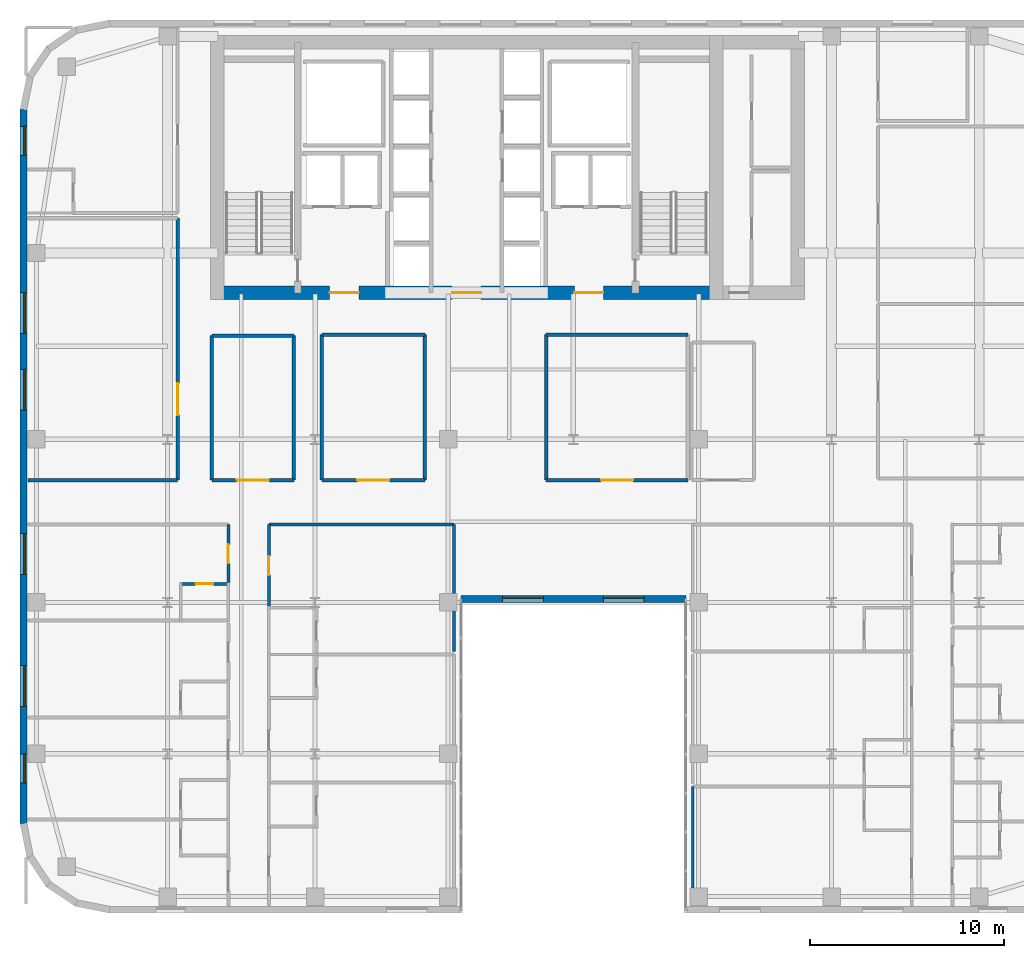
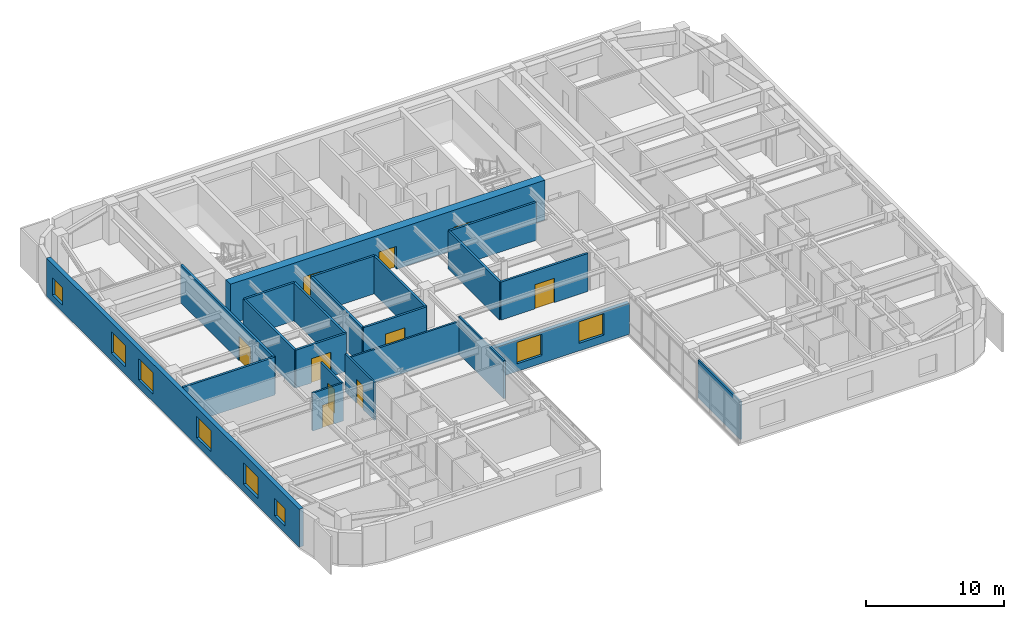
# One storey, part 11 of 17: 22 walls, 10 doors, 8 windows, 18 openings.
"""IFC4 building model written with IfcOpenShell, lengths in metres."""

from ifc_helpers import new_model, si_unit, direction, frame, frame_2d, origin, place, context, subcontext, project, spatial, rectangle, extrude, source, transform, mapped, material, layer, layer_set, type_object, type_shapes, element, fill, save


model = new_model("IFC4")

# Units and contexts
model_context = context("Model", 3, precision=1e-05, world=origin(), true_north=direction((0.0, 1.0)))
body_context = subcontext(model_context, "Body", "Model", "MODEL_VIEW")
ifc_project = project(units=[si_unit("LENGTHUNIT", "METRE"), si_unit("AREAUNIT", "SQUARE_METRE"), si_unit("VOLUMEUNIT", "CUBIC_METRE"), si_unit("PLANEANGLEUNIT", "RADIAN"), si_unit("MASSUNIT", "GRAM", prefix="KILO")], contexts=[model_context])

# Site, building, storey
site_placement = place(None, origin())
site = spatial("IfcSite", under=ifc_project, at=site_placement, CompositionType="ELEMENT")
building_placement = place(site_placement, origin())
building = spatial("IfcBuilding", under=site, at=building_placement, Name="Tolvann Quenvar Hotel", CompositionType="ELEMENT")
storey_placement = place(building_placement, frame((0.0, 0.0, 129.300048828125)))
storey = spatial("IfcBuildingStorey", under=building, at=storey_placement, Name="L33", CompositionType="ELEMENT", Elevation=129.300048828125)

# Wall, openings, doors
ifc_material_1 = material(Name="Concrete S65 (65 MPa)", Category="concrete")
ifc_layer_1 = layer(ifc_material_1, 0.699951171875)
ifc_layer_set_1 = layer_set([ifc_layer_1], Name="Concrete S65 (65 MPa)")
wall_type_1 = type_object("IfcWallType", Name="WALL_CORE_700", PredefinedType="SHEAR", material=ifc_layer_set_1)
wall_1_placement = place(storey_placement, frame((9.800048828125, 31.949951171875, 0.0), z_axis=(0.0, 0.0, 1.0), x_axis=(1.0, 0.0, 0.0)))
wall_1 = element("IfcWall", 1, at=wall_1_placement, inside=storey, type_object=wall_type_1, Name="Rear Core S Shear Wall (L33)", PredefinedType="SHEAR", context=body_context, shape_type="SweptSolid", body=[
    extrude(rectangle(XDim=26.39990234375, YDim=0.699951171875, at=frame_2d((13.199951171875, 0.0))), origin(), (0.0, 0.0, 1.0), 3.550048828125),
])
opening_1_placement = place(wall_1_placement, frame((7.64990234375, 0.0, 0.0), z_axis=(0.0, 0.0, 1.0), x_axis=(-1.0, 0.0, 0.0)))
opening_1 = element("IfcOpeningElement", 2, at=opening_1_placement, cuts=wall_1, Name="Opening FD-60D", PredefinedType="OPENING", context=body_context, shape_type="SweptSolid", body=[
    extrude(rectangle(XDim=1.5, YDim=2.0400390625, at=frame_2d((0.75, 1.02001953125))), frame((0.0, 0.35986328125, 0.0), z_axis=(0.0, -1.0, 0.0), x_axis=(1.0, 0.0, 0.0)), (0.0, 0.0, 1.0), 0.719970703125),
])
opening_2_placement = place(wall_1_placement, frame((13.949951171875, 0.0, 0.0), z_axis=(0.0, 0.0, 1.0), x_axis=(-1.0, 0.0, 0.0)))
opening_2 = element("IfcOpeningElement", 3, at=opening_2_placement, cuts=wall_1, Name="Opening FD-60D", PredefinedType="OPENING", context=body_context, shape_type="SweptSolid", body=[
    extrude(rectangle(XDim=1.5, YDim=2.0400390625, at=frame_2d((0.75, 1.02001953125))), frame((0.0, 0.35986328125, 0.0), z_axis=(0.0, -1.0, 0.0), x_axis=(1.0, 0.0, 0.0)), (0.0, 0.0, 1.0), 0.719970703125),
])
opening_3_placement = place(wall_1_placement, frame((20.25, 0.0, 0.0), z_axis=(0.0, 0.0, 1.0), x_axis=(-1.0, 0.0, 0.0)))
opening_3 = element("IfcOpeningElement", 4, at=opening_3_placement, cuts=wall_1, Name="Opening FD-60D", PredefinedType="OPENING", context=body_context, shape_type="SweptSolid", body=[
    extrude(rectangle(XDim=1.5, YDim=2.0400390625, at=frame_2d((0.75, 1.02001953125))), frame((0.0, 0.35986328125, 0.0), z_axis=(0.0, -1.0, 0.0), x_axis=(1.0, 0.0, 0.0)), (0.0, 0.0, 1.0), 0.719970703125),
])
ifc_material_2 = material(Name="Solid-core American oak acoustic fire door leaf in steel frame", Category="steel")
door_type_1 = type_object("IfcDoorType", Name="DOOR_FIRE_LOBBY_1500", OperationType="NOTDEFINED", PredefinedType="DOOR", material=ifc_material_2)
shared_shape_1 = source(origin(), body_context, "Body", "SweptSolid", [
    extrude(rectangle(XDim=1.5, YDim=2.0400390625, at=frame_2d((0.75, 1.02001953125))), frame((0.0, 0.02490234375, 0.0), z_axis=(0.0, -1.0, 0.0), x_axis=(1.0, 0.0, 0.0)), (0.0, 0.0, 1.0), 0.050048828125),
])
type_shapes(door_type_1, [shared_shape_1])
door_1_placement = place(opening_1_placement, origin())
door_1 = element("IfcDoor", 5, at=door_1_placement, inside=storey, type_object=door_type_1, Name="Core Lobby Fire Door FFW (L33)", OperationType="DOUBLE_DOOR_SINGLE_SWING", OverallHeight=2.0400390625, OverallWidth=1.5, PredefinedType="DOOR", context=body_context, shape_type="MappedRepresentation", body=[
    mapped(shared_shape_1, transform((0.0, 0.0, 0.0), x_axis=(1.0, 0.0, 0.0), y_axis=(0.0, 1.0, 0.0), z_axis=(0.0, 0.0, 1.0), scale=1.0)),
])
fill(opening_1, door_1)
door_2_placement = place(opening_2_placement, origin())
door_2 = element("IfcDoor", 6, at=door_2_placement, inside=storey, type_object=door_type_1, Name="Core Lobby Fire Door CLOB (L33)", OperationType="DOUBLE_DOOR_SINGLE_SWING", OverallHeight=2.0400390625, OverallWidth=1.5, PredefinedType="DOOR", context=body_context, shape_type="MappedRepresentation", body=[
    mapped(shared_shape_1, transform((0.0, 0.0, 0.0), x_axis=(1.0, 0.0, 0.0), y_axis=(0.0, 1.0, 0.0), z_axis=(0.0, 0.0, 1.0), scale=1.0)),
])
fill(opening_2, door_2)
door_3_placement = place(opening_3_placement, origin())
door_3 = element("IfcDoor", 7, at=door_3_placement, inside=storey, type_object=door_type_1, Name="Core Lobby Fire Door FFE (L33)", OperationType="DOUBLE_DOOR_SINGLE_SWING", OverallHeight=2.0400390625, OverallWidth=1.5, PredefinedType="DOOR", context=body_context, shape_type="MappedRepresentation", body=[
    mapped(shared_shape_1, transform((0.0, 0.0, 0.0), x_axis=(1.0, 0.0, 0.0), y_axis=(0.0, 1.0, 0.0), z_axis=(0.0, 0.0, 1.0), scale=1.0)),
])
fill(opening_3, door_3)

# Wall, openings, windows
ifc_material_3 = material(Name="Kiln-fired red and buff architectural clay brickwork and terracotta masonry", Category="masonry")
ifc_layer_2 = layer(ifc_material_3, 0.35009765625)
ifc_layer_set_2 = layer_set([ifc_layer_2], Name="Kiln-fired red and buff architectural clay brickwork and terracotta masonry")
wall_type_2 = type_object("IfcWallType", Name="WALL_EXT_BRICK_350", PredefinedType="SOLIDWALL", material=ifc_layer_set_2)
wall_2_placement = place(storey_placement, frame((22.7099609375, 16.175048828125, 0.0), z_axis=(0.0, 0.0, 1.0), x_axis=(1.0, 0.0, 0.0)))
wall_2 = element("IfcWall", 8, at=wall_2_placement, inside=storey, type_object=wall_type_2, Name="Exterior Chicago Brick Wall L33-E06", PredefinedType="SOLIDWALL", context=body_context, shape_type="SweptSolid", body=[
    extrude(rectangle(XDim=11.580078125, YDim=0.35009765625, at=frame_2d((5.7900390625, 0.0))), origin(), (0.0, 0.0, 1.0), 2.748046875),
])
opening_4_placement = place(wall_2_placement, frame((2.14501953125, 0.0, 0.679931640625)))
opening_4 = element("IfcOpeningElement", 9, at=opening_4_placement, cuts=wall_2, Name="Opening W-02", PredefinedType="OPENING", context=body_context, shape_type="SweptSolid", body=[
    extrude(rectangle(XDim=2.10009765625, YDim=1.89990234375, at=frame_2d((1.050048828125, 0.949951171875))), frame((0.0, 0.18505859375, 0.0), z_axis=(0.0, -1.0, 0.0), x_axis=(1.0, 0.0, 0.0)), (0.0, 0.0, 1.0), 0.3701171875),
])
opening_5_placement = place(wall_2_placement, frame((7.3349609375, 0.0, 0.679931640625)))
opening_5 = element("IfcOpeningElement", 10, at=opening_5_placement, cuts=wall_2, Name="Opening W-02", PredefinedType="OPENING", context=body_context, shape_type="SweptSolid", body=[
    extrude(rectangle(XDim=2.10009765625, YDim=1.89990234375, at=frame_2d((1.050048828125, 0.949951171875))), frame((0.0, 0.18505859375, 0.0), z_axis=(0.0, -1.0, 0.0), x_axis=(1.0, 0.0, 0.0)), (0.0, 0.0, 1.0), 0.3701171875),
])
ifc_material_4 = material(Name="Thermally broken bronze-anodised aluminium frame with double low-E glazing", Category="aluminium")
window_type_1 = type_object("IfcWindowType", Name="WIN_CHI_2100x2050", PartitioningType="TRIPLE_PANEL_HORIZONTAL", PredefinedType="WINDOW", material=ifc_material_4)
shared_shape_2 = source(origin(), body_context, "Body", "SweptSolid", [
    extrude(rectangle(XDim=2.10009765625, YDim=1.89990234375, at=frame_2d((1.050048828125, 0.949951171875))), frame((0.0, 0.090087890625, 0.0), z_axis=(0.0, -1.0, 0.0), x_axis=(1.0, 0.0, 0.0)), (0.0, 0.0, 1.0), 0.06005859375),
])
type_shapes(window_type_1, [shared_shape_2])
window_1_placement = place(opening_4_placement, origin())
window_1 = element("IfcWindow", 11, at=window_1_placement, inside=storey, type_object=window_type_1, Name="Chicago Window W-02 (EW-L33-E06-W01)", OverallHeight=1.89990234375, OverallWidth=2.10009765625, PartitioningType="TRIPLE_PANEL_HORIZONTAL", PredefinedType="WINDOW", context=body_context, shape_type="MappedRepresentation", body=[
    mapped(shared_shape_2, transform((0.0, 0.0, 0.0), x_axis=(1.0, 0.0, 0.0), y_axis=(0.0, 1.0, 0.0), z_axis=(0.0, 0.0, 1.0), scale=1.0)),
])
fill(opening_4, window_1)
window_2_placement = place(opening_5_placement, origin())
window_2 = element("IfcWindow", 12, at=window_2_placement, inside=storey, type_object=window_type_1, Name="Chicago Window W-02 (EW-L33-E06-W02)", OverallHeight=1.89990234375, OverallWidth=2.10009765625, PartitioningType="TRIPLE_PANEL_HORIZONTAL", PredefinedType="WINDOW", context=body_context, shape_type="MappedRepresentation", body=[
    mapped(shared_shape_2, transform((0.0, 0.0, 0.0), x_axis=(1.0, 0.0, 0.0), y_axis=(0.0, 1.0, 0.0), z_axis=(0.0, 0.0, 1.0), scale=1.0)),
])
fill(opening_5, window_2)

wall_3_placement = place(storey_placement, frame((0.175048828125, 41.3828125, 0.0), z_axis=(0.0, 0.0, 1.0), x_axis=(0.0, -1.0, 0.0)))
wall_3 = element("IfcWall", 13, at=wall_3_placement, inside=storey, type_object=wall_type_2, Name="Exterior Chicago Brick Wall L33-E23", PredefinedType="SOLIDWALL", context=body_context, shape_type="SweptSolid", body=[
    extrude(rectangle(XDim=36.765625, YDim=0.35009765625, at=frame_2d((18.3828125, 0.0))), origin(), (0.0, 0.0, 1.0), 3.369873046875),
])
opening_6_placement = place(wall_3_placement, frame((9.428955078125, 0.0, 0.679931640625)))
opening_6 = element("IfcOpeningElement", 14, at=opening_6_placement, cuts=wall_3, Name="Opening W-02", PredefinedType="OPENING", context=body_context, shape_type="SweptSolid", body=[
    extrude(rectangle(XDim=2.10009765625, YDim=1.89990234375, at=frame_2d((1.050048828125, 0.949951171875))), frame((0.0, 0.18505859375, 0.0), z_axis=(0.0, -1.0, 0.0), x_axis=(1.0, 0.0, 0.0)), (0.0, 0.0, 1.0), 0.3701171875),
])
opening_7_placement = place(wall_3_placement, frame((13.381103515625, 0.0, 0.679931640625)))
opening_7 = element("IfcOpeningElement", 15, at=opening_7_placement, cuts=wall_3, Name="Opening W-02", PredefinedType="OPENING", context=body_context, shape_type="SweptSolid", body=[
    extrude(rectangle(XDim=2.10009765625, YDim=1.89990234375, at=frame_2d((1.050048828125, 0.949951171875))), frame((0.0, 0.18505859375, 0.0), z_axis=(0.0, -1.0, 0.0), x_axis=(1.0, 0.0, 0.0)), (0.0, 0.0, 1.0), 0.3701171875),
])
opening_8_placement = place(wall_3_placement, frame((21.8349609375, 0.0, 0.679931640625)))
opening_8 = element("IfcOpeningElement", 16, at=opening_8_placement, cuts=wall_3, Name="Opening W-02", PredefinedType="OPENING", context=body_context, shape_type="SweptSolid", body=[
    extrude(rectangle(XDim=2.10009765625, YDim=1.89990234375, at=frame_2d((1.050048828125, 0.949951171875))), frame((0.0, 0.18505859375, 0.0), z_axis=(0.0, -1.0, 0.0), x_axis=(1.0, 0.0, 0.0)), (0.0, 0.0, 1.0), 0.3701171875),
])
opening_9_placement = place(wall_3_placement, frame((28.637939453125, 0.0, 0.679931640625)))
opening_9 = element("IfcOpeningElement", 17, at=opening_9_placement, cuts=wall_3, Name="Opening W-02", PredefinedType="OPENING", context=body_context, shape_type="SweptSolid", body=[
    extrude(rectangle(XDim=2.10009765625, YDim=1.89990234375, at=frame_2d((1.050048828125, 0.949951171875))), frame((0.0, 0.18505859375, 0.0), z_axis=(0.0, -1.0, 0.0), x_axis=(1.0, 0.0, 0.0)), (0.0, 0.0, 1.0), 0.3701171875),
])
opening_10_placement = place(wall_3_placement, frame((33.18310546875, 0.0, 0.6201171875)))
opening_10 = element("IfcOpeningElement", 18, at=opening_10_placement, cuts=wall_3, Name="Opening W-08", PredefinedType="OPENING", context=body_context, shape_type="SweptSolid", body=[
    extrude(rectangle(XDim=1.5, YDim=1.550048828125, at=frame_2d((0.75, 0.77490234375))), frame((0.0, 0.18505859375, 0.0), z_axis=(0.0, -1.0, 0.0), x_axis=(1.0, 0.0, 0.0)), (0.0, 0.0, 1.0), 0.3701171875),
])
opening_11_placement = place(wall_3_placement, frame((0.861083984375, 0.0, 0.6201171875)))
opening_11 = element("IfcOpeningElement", 19, at=opening_11_placement, cuts=wall_3, Name="Opening W-08", PredefinedType="OPENING", context=body_context, shape_type="SweptSolid", body=[
    extrude(rectangle(XDim=1.5, YDim=1.550048828125, at=frame_2d((0.75, 0.77490234375))), frame((0.0, 0.18505859375, 0.0), z_axis=(0.0, -1.0, 0.0), x_axis=(1.0, 0.0, 0.0)), (0.0, 0.0, 1.0), 0.3701171875),
])
window_type_2 = type_object("IfcWindowType", Name="WIN_COR_1500x2050", PartitioningType="SINGLE_PANEL", PredefinedType="WINDOW", material=ifc_material_4)
shared_shape_3 = source(origin(), body_context, "Body", "SweptSolid", [
    extrude(rectangle(XDim=1.5, YDim=1.550048828125, at=frame_2d((0.75, 0.77490234375))), frame((0.0, 0.090087890625, 0.0), z_axis=(0.0, -1.0, 0.0), x_axis=(1.0, 0.0, 0.0)), (0.0, 0.0, 1.0), 0.06005859375),
])
type_shapes(window_type_2, [shared_shape_3])
window_3_placement = place(opening_10_placement, origin())
window_3 = element("IfcWindow", 20, at=window_3_placement, inside=storey, type_object=window_type_2, Name="Chicago Window W-08 (EW-L33-E23-WD05)", OverallHeight=1.550048828125, OverallWidth=1.5, PartitioningType="SINGLE_PANEL", PredefinedType="WINDOW", context=body_context, shape_type="MappedRepresentation", body=[
    mapped(shared_shape_3, transform((0.0, 0.0, 0.0), x_axis=(1.0, 0.0, 0.0), y_axis=(0.0, 1.0, 0.0), z_axis=(0.0, 0.0, 1.0), scale=1.0)),
])
fill(opening_10, window_3)
window_4_placement = place(opening_11_placement, origin())
window_4 = element("IfcWindow", 21, at=window_4_placement, inside=storey, type_object=window_type_2, Name="Chicago Window W-08 (EW-L33-E23-WD06)", OverallHeight=1.550048828125, OverallWidth=1.5, PartitioningType="SINGLE_PANEL", PredefinedType="WINDOW", context=body_context, shape_type="MappedRepresentation", body=[
    mapped(shared_shape_3, transform((0.0, 0.0, 0.0), x_axis=(1.0, 0.0, 0.0), y_axis=(0.0, 1.0, 0.0), z_axis=(0.0, 0.0, 1.0), scale=1.0)),
])
fill(opening_11, window_4)
window_5_placement = place(opening_6_placement, origin())
window_5 = element("IfcWindow", 22, at=window_5_placement, inside=storey, type_object=window_type_1, Name="Chicago Window W-02 (EW-L33-E23-W01)", OverallHeight=1.89990234375, OverallWidth=2.10009765625, PartitioningType="TRIPLE_PANEL_HORIZONTAL", PredefinedType="WINDOW", context=body_context, shape_type="MappedRepresentation", body=[
    mapped(shared_shape_2, transform((0.0, 0.0, 0.0), x_axis=(1.0, 0.0, 0.0), y_axis=(0.0, 1.0, 0.0), z_axis=(0.0, 0.0, 1.0), scale=1.0)),
])
fill(opening_6, window_5)
window_6_placement = place(opening_7_placement, origin())
window_6 = element("IfcWindow", 23, at=window_6_placement, inside=storey, type_object=window_type_1, Name="Chicago Window W-02 (EW-L33-E23-W02)", OverallHeight=1.89990234375, OverallWidth=2.10009765625, PartitioningType="TRIPLE_PANEL_HORIZONTAL", PredefinedType="WINDOW", context=body_context, shape_type="MappedRepresentation", body=[
    mapped(shared_shape_2, transform((0.0, 0.0, 0.0), x_axis=(1.0, 0.0, 0.0), y_axis=(0.0, 1.0, 0.0), z_axis=(0.0, 0.0, 1.0), scale=1.0)),
])
fill(opening_7, window_6)
window_7_placement = place(opening_8_placement, origin())
window_7 = element("IfcWindow", 24, at=window_7_placement, inside=storey, type_object=window_type_1, Name="Chicago Window W-02 (EW-L33-E23-W03)", OverallHeight=1.89990234375, OverallWidth=2.10009765625, PartitioningType="TRIPLE_PANEL_HORIZONTAL", PredefinedType="WINDOW", context=body_context, shape_type="MappedRepresentation", body=[
    mapped(shared_shape_2, transform((0.0, 0.0, 0.0), x_axis=(1.0, 0.0, 0.0), y_axis=(0.0, 1.0, 0.0), z_axis=(0.0, 0.0, 1.0), scale=1.0)),
])
fill(opening_8, window_7)
window_8_placement = place(opening_9_placement, origin())
window_8 = element("IfcWindow", 25, at=window_8_placement, inside=storey, type_object=window_type_1, Name="Chicago Window W-02 (EW-L33-E23-W04)", OverallHeight=1.89990234375, OverallWidth=2.10009765625, PartitioningType="TRIPLE_PANEL_HORIZONTAL", PredefinedType="WINDOW", context=body_context, shape_type="MappedRepresentation", body=[
    mapped(shared_shape_2, transform((0.0, 0.0, 0.0), x_axis=(1.0, 0.0, 0.0), y_axis=(0.0, 1.0, 0.0), z_axis=(0.0, 0.0, 1.0), scale=1.0)),
])
fill(opening_9, window_8)

# Wall, opening, door
ifc_material_5 = material(Name="Acoustic twin-stud fire-rated gypsum plasterboard partition")
ifc_layer_3 = layer(ifc_material_5, 0.179931640625)
ifc_layer_set_3 = layer_set([ifc_layer_3], Name="Acoustic twin-stud fire-rated gypsum plasterboard partition")
wall_type_3 = type_object("IfcWallType", Name="WALL_PART_ACOUSTIC_180", PredefinedType="PARTITIONING", material=ifc_layer_set_3)
wall_4_placement = place(storey_placement, frame((8.1201171875, 22.300048828125, 0.0), z_axis=(0.0, 0.0, 1.0), x_axis=(0.0, 1.0, 0.0)))
wall_4 = element("IfcWall", 26, at=wall_4_placement, inside=storey, type_object=wall_type_3, Name="Interior Partition PT-SPC-L33-SAL-ENT", PredefinedType="PARTITIONING", context=body_context, shape_type="SweptSolid", body=[
    extrude(rectangle(XDim=13.5, YDim=0.179931640625, at=frame_2d((6.75, 0.0))), origin(), (0.0, 0.0, 1.0), 3.369873046875),
])
opening_12_placement = place(wall_4_placement, frame((3.35009765625, 0.0, 0.0)))
opening_12 = element("IfcOpeningElement", 27, at=opening_12_placement, cuts=wall_4, Name="Opening AD-01", PredefinedType="OPENING", context=body_context, shape_type="SweptSolid", body=[
    extrude(rectangle(XDim=1.64990234375, YDim=2.14990234375, at=frame_2d((0.824951171875, 1.074951171875))), frame((0.0, 0.10009765625, 0.0), z_axis=(0.0, -1.0, 0.0), x_axis=(1.0, 0.0, 0.0)), (0.0, 0.0, 1.0), 0.199951171875),
])
door_type_2 = type_object("IfcDoorType", Name="DOOR_SALON_1650", OperationType="NOTDEFINED", PredefinedType="DOOR", material=ifc_material_2)
shared_shape_4 = source(origin(), body_context, "Body", "SweptSolid", [
    extrude(rectangle(XDim=1.64990234375, YDim=2.14990234375, at=frame_2d((0.824951171875, 1.074951171875))), frame((0.0, 0.02490234375, 0.0), z_axis=(0.0, -1.0, 0.0), x_axis=(1.0, 0.0, 0.0)), (0.0, 0.0, 1.0), 0.050048828125),
])
type_shapes(door_type_2, [shared_shape_4])
door_4_placement = place(opening_12_placement, origin())
door_4 = element("IfcDoor", 28, at=door_4_placement, inside=storey, type_object=door_type_2, Name="Interior Door DOOR-SPC-L33-SAL", OperationType="DOUBLE_DOOR_SINGLE_SWING", OverallHeight=2.14990234375, OverallWidth=1.64990234375, PredefinedType="DOOR", context=body_context, shape_type="MappedRepresentation", body=[
    mapped(shared_shape_4, transform((0.0, 0.0, 0.0), x_axis=(1.0, 0.0, 0.0), y_axis=(0.0, 1.0, 0.0), z_axis=(0.0, 0.0, 1.0), scale=1.0)),
])
fill(opening_12, door_4)

# Wall
wall_5_placement = place(storey_placement, frame((0.405029296875, 22.300048828125, 0.0), z_axis=(0.0, 0.0, 1.0), x_axis=(1.0, 0.0, 0.0)))
element("IfcWall", 29, at=wall_5_placement, inside=storey, type_object=wall_type_3, Name="Interior Partition PT-SPC-L33-SAL-S", PredefinedType="PARTITIONING", context=body_context, shape_type="SweptSolid", body=[
    extrude(rectangle(XDim=7.715087890625, YDim=0.179931640625, at=frame_2d((3.857421875, 0.0))), origin(), (0.0, 0.0, 1.0), 3.369873046875),
])

# Wall, opening, door
wall_6_placement = place(storey_placement, frame((9.8798828125, 22.300048828125, 0.0), z_axis=(0.0, 0.0, 1.0), x_axis=(1.0, 0.0, 0.0)))
wall_6 = element("IfcWall", 30, at=wall_6_placement, inside=storey, type_object=wall_type_3, Name="Interior Partition PT-SPC-L33-MSP-W-S", PredefinedType="PARTITIONING", context=body_context, shape_type="SweptSolid", body=[
    extrude(rectangle(XDim=4.22021484375, YDim=0.179931640625, at=frame_2d((2.110107421875, 0.0))), origin(), (0.0, 0.0, 1.0), 3.369873046875),
])
opening_13_placement = place(wall_6_placement, frame((1.284912109375, 0.0, 0.0)))
opening_13 = element("IfcOpeningElement", 31, at=opening_13_placement, cuts=wall_6, Name="Opening AD-01", PredefinedType="OPENING", context=body_context, shape_type="SweptSolid", body=[
    extrude(rectangle(XDim=1.64990234375, YDim=2.14990234375, at=frame_2d((0.824951171875, 1.074951171875))), frame((0.0, 0.10009765625, 0.0), z_axis=(0.0, -1.0, 0.0), x_axis=(1.0, 0.0, 0.0)), (0.0, 0.0, 1.0), 0.199951171875),
])
door_5_placement = place(opening_13_placement, origin())
door_5 = element("IfcDoor", 32, at=door_5_placement, inside=storey, type_object=door_type_2, Name="Interior Door DOOR-SPC-L33-MSP-W", OperationType="DOUBLE_DOOR_SINGLE_SWING", OverallHeight=2.14990234375, OverallWidth=1.64990234375, PredefinedType="DOOR", context=body_context, shape_type="MappedRepresentation", body=[
    mapped(shared_shape_4, transform((0.0, 0.0, 0.0), x_axis=(1.0, 0.0, 0.0), y_axis=(0.0, 1.0, 0.0), z_axis=(0.0, 0.0, 1.0), scale=1.0)),
])
fill(opening_13, door_5)

# Walls
wall_7_placement = place(storey_placement, frame((9.8798828125, 29.75, 0.0), z_axis=(0.0, 0.0, 1.0), x_axis=(1.0, 0.0, 0.0)))
element("IfcWall", 33, at=wall_7_placement, inside=storey, type_object=wall_type_3, Name="Interior Partition PT-SPC-L33-MSP-W-N", PredefinedType="PARTITIONING", context=body_context, shape_type="SweptSolid", body=[
    extrude(rectangle(XDim=4.22021484375, YDim=0.179931640625, at=frame_2d((2.110107421875, 0.0))), origin(), (0.0, 0.0, 1.0), 3.369873046875),
])
for number, where, z_axis, x_axis, name in (
    (34, (9.8798828125, 22.300048828125, 0.0), (0.0, 0.0, 1.0), (0.0, 1.0, 0.0), "Interior Partition PT-SPC-L33-MSP-W-W"),
    (35, (14.10009765625, 22.300048828125, 0.0), (0.0, 0.0, 1.0), (0.0, 1.0, 0.0), "Interior Partition PT-SPC-L33-MSP-W-E"),
):
    element("IfcWall", number, at=place(storey_placement, frame(where, z_axis=z_axis, x_axis=x_axis)), inside=storey, type_object=wall_type_3, Name=name, PredefinedType="PARTITIONING", context=body_context, shape_type="SweptSolid", body=[
        extrude(rectangle(XDim=7.449951171875, YDim=0.179931640625, at=frame_2d((3.72509765625, 0.0))), origin(), (0.0, 0.0, 1.0), 3.369873046875),
    ])

# Wall, opening, door
wall_8_placement = place(storey_placement, frame((27.10009765625, 22.300048828125, 0.0), z_axis=(0.0, 0.0, 1.0), x_axis=(1.0, 0.0, 0.0)))
wall_8 = element("IfcWall", 36, at=wall_8_placement, inside=storey, type_object=wall_type_3, Name="Interior Partition PT-SPC-L33-MSP-C-S", PredefinedType="PARTITIONING", context=body_context, shape_type="SweptSolid", body=[
    extrude(rectangle(XDim=7.2998046875, YDim=0.179931640625, at=frame_2d((3.64990234375, 0.0))), origin(), (0.0, 0.0, 1.0), 3.369873046875),
])
opening_14_placement = place(wall_8_placement, frame((2.824951171875, 0.0, 0.0)))
opening_14 = element("IfcOpeningElement", 37, at=opening_14_placement, cuts=wall_8, Name="Opening AD-01", PredefinedType="OPENING", context=body_context, shape_type="SweptSolid", body=[
    extrude(rectangle(XDim=1.64990234375, YDim=2.14990234375, at=frame_2d((0.824951171875, 1.074951171875))), frame((0.0, 0.10009765625, 0.0), z_axis=(0.0, -1.0, 0.0), x_axis=(1.0, 0.0, 0.0)), (0.0, 0.0, 1.0), 0.199951171875),
])
door_6_placement = place(opening_14_placement, origin())
door_6 = element("IfcDoor", 38, at=door_6_placement, inside=storey, type_object=door_type_2, Name="Interior Door DOOR-SPC-L33-MSP-C", OperationType="DOUBLE_DOOR_SINGLE_SWING", OverallHeight=2.14990234375, OverallWidth=1.64990234375, PredefinedType="DOOR", context=body_context, shape_type="MappedRepresentation", body=[
    mapped(shared_shape_4, transform((0.0, 0.0, 0.0), x_axis=(1.0, 0.0, 0.0), y_axis=(0.0, 1.0, 0.0), z_axis=(0.0, 0.0, 1.0), scale=1.0)),
])
fill(opening_14, door_6)

# Walls
wall_9_placement = place(storey_placement, frame((27.10009765625, 29.800048828125, 0.0), z_axis=(0.0, 0.0, 1.0), x_axis=(1.0, 0.0, 0.0)))
element("IfcWall", 39, at=wall_9_placement, inside=storey, type_object=wall_type_3, Name="Interior Partition PT-SPC-L33-MSP-C-N", PredefinedType="PARTITIONING", context=body_context, shape_type="SweptSolid", body=[
    extrude(rectangle(XDim=7.2998046875, YDim=0.179931640625, at=frame_2d((3.64990234375, 0.0))), origin(), (0.0, 0.0, 1.0), 3.369873046875),
])
wall_10_placement = place(storey_placement, frame((27.10009765625, 22.300048828125, 0.0), z_axis=(0.0, 0.0, 1.0), x_axis=(0.0, 1.0, 0.0)))
element("IfcWall", 40, at=wall_10_placement, inside=storey, type_object=wall_type_3, Name="Interior Partition PT-SPC-L33-MSP-C-W", PredefinedType="PARTITIONING", context=body_context, shape_type="SweptSolid", body=[
    extrude(rectangle(XDim=7.5, YDim=0.179931640625, at=frame_2d((3.75, 0.0))), origin(), (0.0, 0.0, 1.0), 3.369873046875),
])

# Wall, opening, door
wall_11_placement = place(storey_placement, frame((15.550048828125, 22.300048828125, 0.0), z_axis=(0.0, 0.0, 1.0), x_axis=(1.0, 0.0, 0.0)))
wall_11 = element("IfcWall", 41, at=wall_11_placement, inside=storey, type_object=wall_type_3, Name="Interior Partition PT-SPC-L33-MSP-N-S", PredefinedType="PARTITIONING", context=body_context, shape_type="SweptSolid", body=[
    extrude(rectangle(XDim=5.300048828125, YDim=0.179931640625, at=frame_2d((2.64990234375, 0.0))), origin(), (0.0, 0.0, 1.0), 3.369873046875),
])
opening_15_placement = place(wall_11_placement, frame((1.824951171875, 0.0, 0.0)))
opening_15 = element("IfcOpeningElement", 42, at=opening_15_placement, cuts=wall_11, Name="Opening AD-01", PredefinedType="OPENING", context=body_context, shape_type="SweptSolid", body=[
    extrude(rectangle(XDim=1.64990234375, YDim=2.14990234375, at=frame_2d((0.824951171875, 1.074951171875))), frame((0.0, 0.10009765625, 0.0), z_axis=(0.0, -1.0, 0.0), x_axis=(1.0, 0.0, 0.0)), (0.0, 0.0, 1.0), 0.199951171875),
])
door_7_placement = place(opening_15_placement, origin())
door_7 = element("IfcDoor", 43, at=door_7_placement, inside=storey, type_object=door_type_2, Name="Interior Door DOOR-SPC-L33-MSP-N", OperationType="DOUBLE_DOOR_SINGLE_SWING", OverallHeight=2.14990234375, OverallWidth=1.64990234375, PredefinedType="DOOR", context=body_context, shape_type="MappedRepresentation", body=[
    mapped(shared_shape_4, transform((0.0, 0.0, 0.0), x_axis=(1.0, 0.0, 0.0), y_axis=(0.0, 1.0, 0.0), z_axis=(0.0, 0.0, 1.0), scale=1.0)),
])
fill(opening_15, door_7)

# Walls
wall_12_placement = place(storey_placement, frame((15.550048828125, 29.800048828125, 0.0), z_axis=(0.0, 0.0, 1.0), x_axis=(1.0, 0.0, 0.0)))
element("IfcWall", 44, at=wall_12_placement, inside=storey, type_object=wall_type_3, Name="Interior Partition PT-SPC-L33-MSP-N-N", PredefinedType="PARTITIONING", context=body_context, shape_type="SweptSolid", body=[
    extrude(rectangle(XDim=5.300048828125, YDim=0.179931640625, at=frame_2d((2.64990234375, 0.0))), origin(), (0.0, 0.0, 1.0), 3.369873046875),
])
for number, where, z_axis, x_axis, name in (
    (45, (15.550048828125, 22.300048828125, 0.0), (0.0, 0.0, 1.0), (0.0, 1.0, 0.0), "Interior Partition PT-SPC-L33-MSP-N-W"),
    (46, (20.85009765625, 22.300048828125, 0.0), (0.0, 0.0, 1.0), (0.0, 1.0, 0.0), "Interior Partition PT-SPC-L33-MSP-N-E"),
):
    element("IfcWall", number, at=place(storey_placement, frame(where, z_axis=z_axis, x_axis=x_axis)), inside=storey, type_object=wall_type_3, Name=name, PredefinedType="PARTITIONING", context=body_context, shape_type="SweptSolid", body=[
        extrude(rectangle(XDim=7.5, YDim=0.179931640625, at=frame_2d((3.75, 0.0))), origin(), (0.0, 0.0, 1.0), 3.369873046875),
    ])

# Wall, opening, door
ifc_layer_4 = layer(ifc_material_5, 0.14990234375)
ifc_layer_set_4 = layer_set([ifc_layer_4], Name="Acoustic twin-stud fire-rated gypsum plasterboard partition")
wall_type_4 = type_object("IfcWallType", Name="WALL_PART_SUITE_150", PredefinedType="PARTITIONING", material=ifc_layer_set_4)
wall_13_placement = place(storey_placement, frame((8.2099609375, 16.95703125, 0.0), z_axis=(0.0, 0.0, 1.0), x_axis=(1.0, 0.0, 0.0)))
wall_13 = element("IfcWall", 47, at=wall_13_placement, inside=storey, type_object=wall_type_4, Name="Interior Partition PT-SPC-L33-ENS-WO04-N", PredefinedType="PARTITIONING", context=body_context, shape_type="SweptSolid", body=[
    extrude(rectangle(XDim=2.590087890625, YDim=0.14990234375, at=frame_2d((1.294921875, 0.0))), origin(), (0.0, 0.0, 1.0), 3.369873046875),
])
opening_16_placement = place(wall_13_placement, frame((0.8349609375, 0.0, 0.0)))
opening_16 = element("IfcOpeningElement", 48, at=opening_16_placement, cuts=wall_13, Name="Opening WD-01", PredefinedType="OPENING", context=body_context, shape_type="SweptSolid", body=[
    extrude(rectangle(XDim=0.919921875, YDim=2.010009765625, at=frame_2d((0.4599609375, 1.0048828125))), frame((0.0, 0.0849609375, 0.0), z_axis=(0.0, -1.0, 0.0), x_axis=(1.0, 0.0, 0.0)), (0.0, 0.0, 1.0), 0.169921875),
])
door_type_3 = type_object("IfcDoorType", Name="DOOR_WC_920", OperationType="NOTDEFINED", PredefinedType="DOOR", material=ifc_material_2)
shared_shape_5 = source(origin(), body_context, "Body", "SweptSolid", [
    extrude(rectangle(XDim=0.919921875, YDim=2.010009765625, at=frame_2d((0.4599609375, 1.0048828125))), frame((0.0, 0.02490234375, 0.0), z_axis=(0.0, -1.0, 0.0), x_axis=(1.0, 0.0, 0.0)), (0.0, 0.0, 1.0), 0.050048828125),
])
type_shapes(door_type_3, [shared_shape_5])
door_8_placement = place(opening_16_placement, origin())
door_8 = element("IfcDoor", 49, at=door_8_placement, inside=storey, type_object=door_type_3, Name="Interior Door DOOR-SPC-L33-ENS-WO04", OperationType="SINGLE_SWING_LEFT", OverallHeight=2.010009765625, OverallWidth=0.919921875, PredefinedType="DOOR", context=body_context, shape_type="MappedRepresentation", body=[
    mapped(shared_shape_5, transform((0.0, 0.0, 0.0), x_axis=(1.0, 0.0, 0.0), y_axis=(0.0, 1.0, 0.0), z_axis=(0.0, 0.0, 1.0), scale=1.0)),
])
fill(opening_16, door_8)

wall_14_placement = place(storey_placement, frame((10.72998046875, 17.037109375, 0.0), z_axis=(0.0, 0.0, 1.0), x_axis=(0.0, 1.0, 0.0)))
wall_14 = element("IfcWall", 50, at=wall_14_placement, inside=storey, type_object=wall_type_4, Name="Interior Partition PT-SPC-L33-RM-WO04-ENT", PredefinedType="PARTITIONING", context=body_context, shape_type="SweptSolid", body=[
    extrude(rectangle(XDim=2.98291015625, YDim=0.14990234375, at=frame_2d((1.491455078125, 0.0))), origin(), (0.0, 0.0, 1.0), 3.369873046875),
])
opening_17_placement = place(wall_14_placement, frame((0.9814453125, 0.0, 0.0)))
opening_17 = element("IfcOpeningElement", 51, at=opening_17_placement, cuts=wall_14, Name="Opening SD-01", PredefinedType="OPENING", context=body_context, shape_type="SweptSolid", body=[
    extrude(rectangle(XDim=0.97998046875, YDim=2.1201171875, at=frame_2d((0.489990234375, 1.06005859375))), frame((0.0, 0.0849609375, 0.0), z_axis=(0.0, -1.0, 0.0), x_axis=(1.0, 0.0, 0.0)), (0.0, 0.0, 1.0), 0.169921875),
])
door_type_4 = type_object("IfcDoorType", Name="DOOR_SUITE_980", OperationType="NOTDEFINED", PredefinedType="DOOR", material=ifc_material_2)
shared_shape_6 = source(origin(), body_context, "Body", "SweptSolid", [
    extrude(rectangle(XDim=0.97998046875, YDim=2.1201171875, at=frame_2d((0.489990234375, 1.06005859375))), frame((0.0, 0.02490234375, 0.0), z_axis=(0.0, -1.0, 0.0), x_axis=(1.0, 0.0, 0.0)), (0.0, 0.0, 1.0), 0.050048828125),
])
type_shapes(door_type_4, [shared_shape_6])
door_9_placement = place(opening_17_placement, origin())
door_9 = element("IfcDoor", 52, at=door_9_placement, inside=storey, type_object=door_type_4, Name="Interior Door DOOR-SPC-L33-RM-WO04", OperationType="SINGLE_SWING_RIGHT", OverallHeight=2.1201171875, OverallWidth=0.97998046875, PredefinedType="DOOR", context=body_context, shape_type="MappedRepresentation", body=[
    mapped(shared_shape_6, transform((0.0, 0.0, 0.0), x_axis=(1.0, 0.0, 0.0), y_axis=(0.0, 1.0, 0.0), z_axis=(0.0, 0.0, 1.0), scale=1.0)),
])
fill(opening_17, door_9)

wall_15_placement = place(storey_placement, frame((12.820068359375, 15.81005859375, 0.0), z_axis=(0.0, 0.0, 1.0), x_axis=(0.0, 1.0, 0.0)))
wall_15 = element("IfcWall", 53, at=wall_15_placement, inside=storey, type_object=wall_type_4, Name="Interior Partition PT-SPC-L33-RM-WI03-ENT", PredefinedType="PARTITIONING", context=body_context, shape_type="SweptSolid", body=[
    extrude(rectangle(XDim=4.2099609375, YDim=0.14990234375, at=frame_2d((2.10498046875, 0.0))), origin(), (0.0, 0.0, 1.0), 3.369873046875),
])
opening_18_placement = place(wall_15_placement, frame((1.594970703125, 0.0, 0.0)))
opening_18 = element("IfcOpeningElement", 54, at=opening_18_placement, cuts=wall_15, Name="Opening SD-01", PredefinedType="OPENING", context=body_context, shape_type="SweptSolid", body=[
    extrude(rectangle(XDim=0.97998046875, YDim=2.1201171875, at=frame_2d((0.489990234375, 1.06005859375))), frame((0.0, 0.0849609375, 0.0), z_axis=(0.0, -1.0, 0.0), x_axis=(1.0, 0.0, 0.0)), (0.0, 0.0, 1.0), 0.169921875),
])
door_10_placement = place(opening_18_placement, origin())
door_10 = element("IfcDoor", 55, at=door_10_placement, inside=storey, type_object=door_type_4, Name="Interior Door DOOR-SPC-L33-RM-WI03", OperationType="SINGLE_SWING_LEFT", OverallHeight=2.1201171875, OverallWidth=0.97998046875, PredefinedType="DOOR", context=body_context, shape_type="MappedRepresentation", body=[
    mapped(shared_shape_6, transform((0.0, 0.0, 0.0), x_axis=(1.0, 0.0, 0.0), y_axis=(0.0, 1.0, 0.0), z_axis=(0.0, 0.0, 1.0), scale=1.0)),
])
fill(opening_18, door_10)

# Walls
wall_16_placement = place(storey_placement, frame((22.35009765625, 13.47998046875, 0.0), z_axis=(0.0, 0.0, 1.0), x_axis=(0.0, 1.0, 0.0)))
element("IfcWall", 56, at=wall_16_placement, inside=storey, type_object=wall_type_4, Name="Interior Partition PT-SPC-L33-RM-WI03-E4", PredefinedType="PARTITIONING", context=body_context, shape_type="SweptSolid", body=[
    extrude(rectangle(XDim=6.5400390625, YDim=0.14990234375, at=frame_2d((3.27001953125, 0.0))), origin(), (0.0, 0.0, 1.0), 3.369873046875),
])
wall_17_placement = place(storey_placement, frame((12.820068359375, 20.02001953125, 0.0), z_axis=(0.0, 0.0, 1.0), x_axis=(1.0, 0.0, 0.0)))
element("IfcWall", 57, at=wall_17_placement, inside=storey, type_object=wall_type_4, Name="Interior Partition PT-SPC-L33-RM-WI03-E5", PredefinedType="PARTITIONING", context=body_context, shape_type="SweptSolid", body=[
    extrude(rectangle(XDim=9.530029296875, YDim=0.14990234375, at=frame_2d((4.76513671875, 0.0))), origin(), (0.0, 0.0, 1.0), 2.953857421875),
])
wall_18_placement = place(storey_placement, frame((34.64990234375, 0.405029296875, 0.0), z_axis=(0.0, 0.0, 1.0), x_axis=(0.0, 1.0, 0.0)))
element("IfcWall", 58, at=wall_18_placement, inside=storey, type_object=wall_type_4, Name="Interior Partition PT-SPC-L33-RM-EI01-E6", PredefinedType="PARTITIONING", context=body_context, shape_type="SweptSolid", body=[
    extrude(rectangle(XDim=6.114990234375, YDim=0.14990234375, at=frame_2d((3.0576171875, 0.0))), origin(), (0.0, 0.0, 1.0), 3.369873046875),
])

save(model, "model.ifc")
